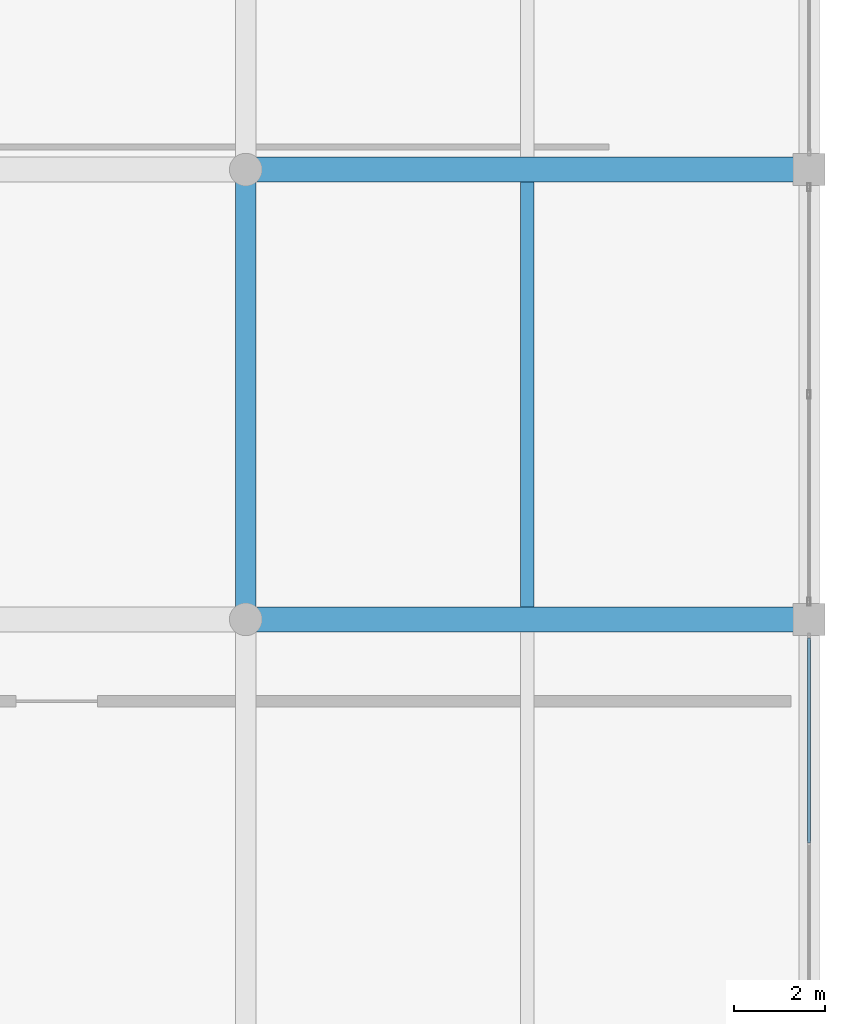
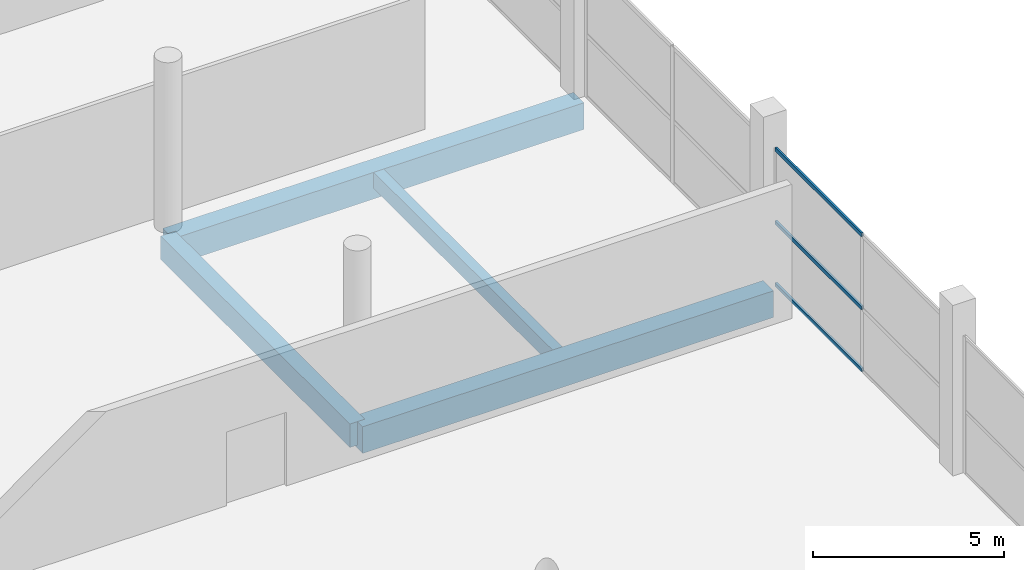
# One storey, part 35 of 72: 4 beams, 3 members, 1 element without a shape of its own.
"""IFC4 building model written with IfcOpenShell, lengths in metres."""

from ifc_helpers import new_model, si_unit, direction, frame, origin, origin_2d, place, context, subcontext, project, spatial, rectangle, hollow_rectangle, extrude, material, layer, layer_set, material_profile, profile_set, type_object, element, aggregate, save


model = new_model("IFC4")

# Units and contexts
model_context = context("Model", 3, precision=1e-05, world=origin(), true_north=direction((0.0, 1.0)))
body_context = subcontext(model_context, "Body", "Model", "MODEL_VIEW")
ifc_project = project(units=[si_unit("LENGTHUNIT", "METRE"), si_unit("AREAUNIT", "SQUARE_METRE"), si_unit("VOLUMEUNIT", "CUBIC_METRE"), si_unit("PLANEANGLEUNIT", "RADIAN"), si_unit("MASSUNIT", "GRAM", prefix="KILO")], contexts=[model_context])

# Site, building, storey
site_placement = place(None, origin())
site = spatial("IfcSite", under=ifc_project, at=site_placement, CompositionType="ELEMENT")
building_placement = place(site_placement, origin())
building = spatial("IfcBuilding", under=site, at=building_placement, Name="Sillaruma Civic Art Gallery", CompositionType="ELEMENT")
storey_placement = place(building_placement, frame((0.0, 0.0, 10.8798828125)))
storey = spatial("IfcBuildingStorey", under=building, at=storey_placement, Name="L02", CompositionType="ELEMENT", Elevation=10.8798828125)

# Beams
ifc_material_1 = material(Name="Concrete H40 (40 MPa)", Category="concrete")
ifc_material_profile_1 = material_profile(ifc_material_1, rectangle(XDim=0.449951171875, YDim=0.75, at=origin_2d()), Name="RCB450x750")
ifc_profile_set_1 = profile_set([ifc_material_profile_1], Name="Concrete H40 (40 MPa)")
beam_type_1 = type_object("IfcBeamType", Name="BM-BEAM-RCB450x750", PredefinedType="BEAM", material=ifc_profile_set_1)
beam_1_placement = place(storey_placement, frame((164.0, 19.800048828125, -0.634765625), z_axis=(0.0, 1.0, 0.0), x_axis=(-1.0, 0.0, 0.0)))
element("IfcBeam", 1, at=beam_1_placement, inside=storey, type_object=beam_type_1, Name="Beam BM-03 (L01:S:3-4)", PredefinedType="BEAM", context=body_context, shape_type="SweptSolid", body=[
    extrude(rectangle(XDim=0.449951171875, YDim=0.75, at=origin_2d()), origin(), (0.0, 0.0, 1.0), 9.89990234375),
])
ifc_material_profile_2 = material_profile(ifc_material_1, rectangle(XDim=0.550048828125, YDim=0.85009765625, at=origin_2d()), Name="RCB550x850")
ifc_profile_set_2 = profile_set([ifc_material_profile_2], Name="Concrete H40 (40 MPa)")
beam_type_2 = type_object("IfcBeamType", Name="BM-BEAM-RCB550x850", PredefinedType="BEAM", material=ifc_profile_set_2)
for number, where, z_axis, x_axis, name in (
    (2, (164.0, 19.800048828125, -0.684814453125), (1.0, 0.0, 0.0), (0.0, 1.0, 0.0), "Beam BM-01 (L01:3:S-T)"),
    (3, (164.0, 29.699951171875, -0.684814453125), (1.0, 0.0, 0.0), (0.0, 1.0, 0.0), "Beam BM-01 (L01:4:S-T)"),
):
    element("IfcBeam", number, at=place(storey_placement, frame(where, z_axis=z_axis, x_axis=x_axis)), inside=storey, type_object=beam_type_2, Name=name, PredefinedType="BEAM", context=body_context, shape_type="SweptSolid", body=[
        extrude(rectangle(XDim=0.550048828125, YDim=0.85009765625, at=origin_2d()), origin(), (0.0, 0.0, 1.0), 12.39990234375),
    ])
ifc_material_2 = material(Name="Concrete H35 (35 MPa)", Category="concrete")
ifc_material_profile_3 = material_profile(ifc_material_2, rectangle(XDim=0.300048828125, YDim=0.52001953125, at=origin_2d()), Name="RCB300x520")
ifc_profile_set_3 = profile_set([ifc_material_profile_3], Name="Concrete H35 (35 MPa)")
beam_type_3 = type_object("IfcBeamType", Name="BM-JOIST-RCB300x520", PredefinedType="JOIST", material=ifc_profile_set_3)
beam_2_placement = place(storey_placement, frame((170.199951171875, 20.074951171875, -0.519775390625), z_axis=(0.0, 1.0, 0.0), x_axis=(-1.0, 0.0, 0.0)))
element("IfcBeam", 4, at=beam_2_placement, inside=storey, type_object=beam_type_3, Name="Floor Joist JR-01 (L01:ST:3-4)", PredefinedType="JOIST", context=body_context, shape_type="SweptSolid", body=[
    extrude(rectangle(XDim=0.300048828125, YDim=0.52001953125, at=origin_2d()), origin(), (0.0, 0.0, 1.0), 9.35009765625),
])

# Curtain wall, members
ifc_material_3 = material(Name="Thermally Broken Extruded Aluminium 6063-T6", Category="aluminium")
ifc_layer = layer(ifc_material_3, 0.139892578125, Name="Thermally Broken Extruded Aluminium 6063-T6")
ifc_layer_set = layer_set([ifc_layer], Name="Thermally Broken Extruded Aluminium 6063-T6")
curtain_wall_type = type_object("IfcCurtainWallType", Name="CW-UNI-11", PredefinedType="NOTDEFINED", material=ifc_layer_set)
curtain_wall_placement = place(storey_placement, origin())
curtain_wall = element("IfcCurtainWall", 5, at=curtain_wall_placement, inside=storey, type_object=curtain_wall_type, Name="Unitised Curtain Wall CW-11 (CW-L02-ESTR-2)", PredefinedType="NOTDEFINED")
ifc_material_profile_4 = material_profile(ifc_material_3, hollow_rectangle(XDim=0.06494140625, YDim=0.1201171875, WallThickness=0.00341796875, at=origin_2d()), Name="CWT65x120")
ifc_profile_set_4 = profile_set([ifc_material_profile_4], Name="Thermally Broken Extruded Aluminium 6063-T6")
member_type = type_object("IfcMemberType", Name="MEM-TRN-CWT65x120", PredefinedType="USERDEFINED", material=ifc_profile_set_4)
member_1_placement = place(storey_placement, frame((176.39990234375, 14.8798828125, 0.03271484375), z_axis=(0.0, 1.0, 0.0), x_axis=(-1.0, 0.0, 0.0)))
member_1 = element("IfcMember", 6, at=member_1_placement, type_object=member_type, Name="CW-11 transom 2.1", ObjectType="TRANSOM", PredefinedType="USERDEFINED", context=body_context, shape_type="SweptSolid", body=[
    extrude(hollow_rectangle(XDim=0.06494140625, YDim=0.1201171875, WallThickness=0.00341796875, at=origin_2d()), origin(), (0.0, 0.0, 1.0), 4.510009765625),
])
member_2_placement = place(storey_placement, frame((176.39990234375, 14.8798828125, 2.014892578125), z_axis=(0.0, 1.0, 0.0), x_axis=(-1.0, 0.0, 0.0)))
member_2 = element("IfcMember", 7, at=member_2_placement, type_object=member_type, Name="CW-11 transom 2.2", ObjectType="TRANSOM", PredefinedType="USERDEFINED", context=body_context, shape_type="SweptSolid", body=[
    extrude(hollow_rectangle(XDim=0.06494140625, YDim=0.1201171875, WallThickness=0.00341796875, at=origin_2d()), origin(), (0.0, 0.0, 1.0), 4.510009765625),
])
member_3_placement = place(storey_placement, frame((176.39990234375, 14.8798828125, 4.34765625), z_axis=(0.0, 1.0, 0.0), x_axis=(-1.0, 0.0, 0.0)))
member_3 = element("IfcMember", 8, at=member_3_placement, type_object=member_type, Name="CW-11 transom 2.3", ObjectType="TRANSOM", PredefinedType="USERDEFINED", context=body_context, shape_type="SweptSolid", body=[
    extrude(hollow_rectangle(XDim=0.06494140625, YDim=0.1201171875, WallThickness=0.00341796875, at=origin_2d()), origin(), (0.0, 0.0, 1.0), 4.510009765625),
])
aggregate(curtain_wall, [member_1, member_2, member_3])

save(model, "model.ifc")
